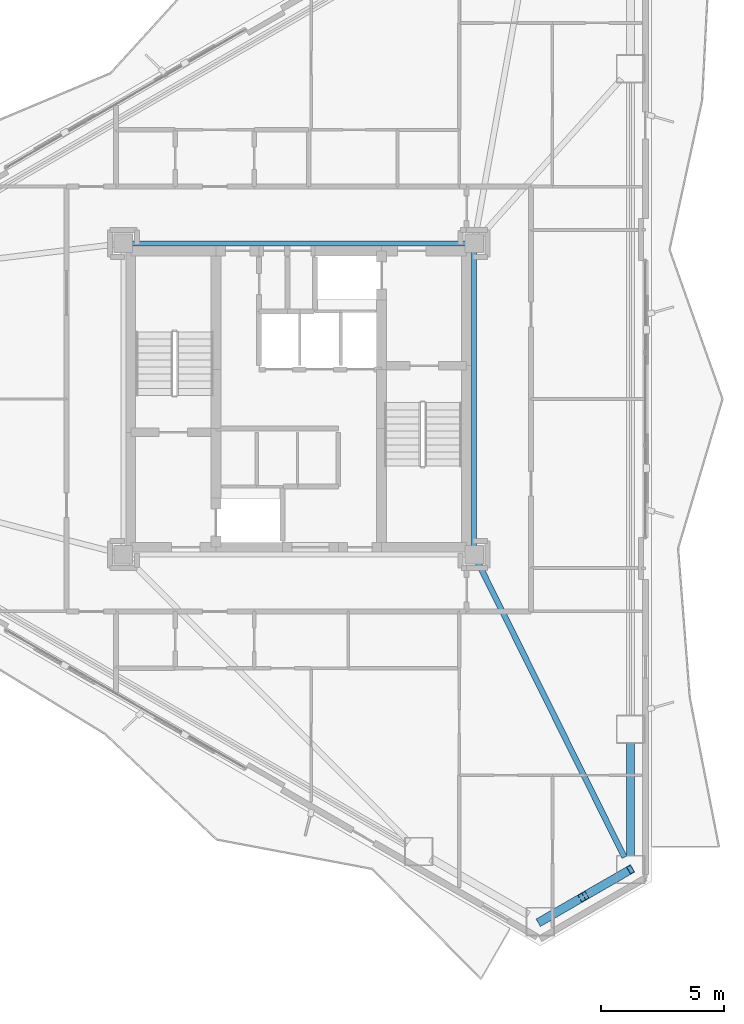
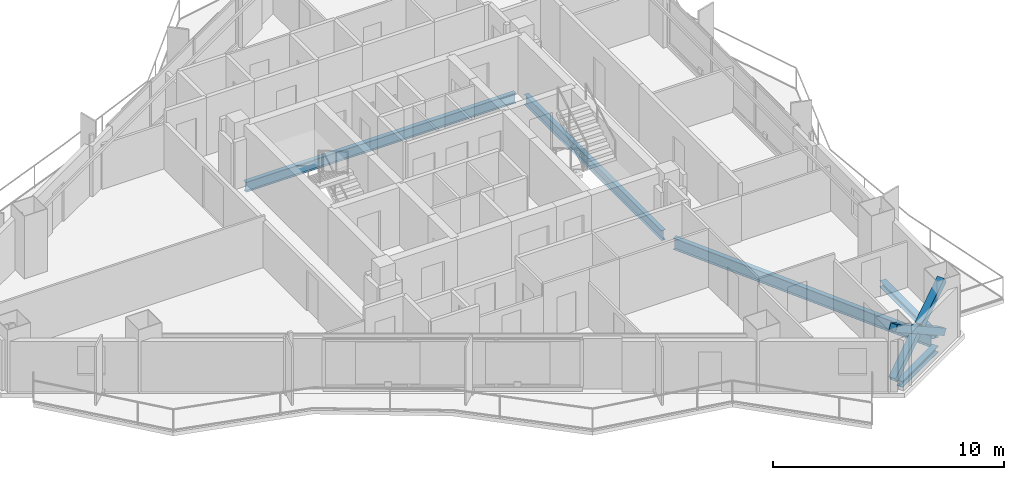
# One storey, part 7 of 22: 5 beams, 3 members.
"""IFC4 building model written with IfcOpenShell, lengths in metres."""

from ifc_helpers import new_model, si_unit, direction, frame, origin, origin_2d, place, context, subcontext, project, spatial, hollow_rectangle, i_section, extrude, material, material_profile, profile_set, type_object, element, save


model = new_model("IFC4")

# Units and contexts
model_context = context("Model", 3, precision=1e-05, world=origin(), true_north=direction((0.0, 1.0)))
body_context = subcontext(model_context, "Body", "Model", "MODEL_VIEW")
ifc_project = project(units=[si_unit("LENGTHUNIT", "METRE"), si_unit("AREAUNIT", "SQUARE_METRE"), si_unit("VOLUMEUNIT", "CUBIC_METRE"), si_unit("PLANEANGLEUNIT", "RADIAN"), si_unit("MASSUNIT", "GRAM", prefix="KILO")], contexts=[model_context])

# Site, building, storey
site_placement = place(None, origin())
site = spatial("IfcSite", under=ifc_project, at=site_placement, CompositionType="ELEMENT")
building_placement = place(site_placement, origin())
building = spatial("IfcBuilding", under=site, at=building_placement, Name="Mersakhor Tower and Convention Hall", CompositionType="ELEMENT")
storey_placement = place(building_placement, frame((0.0, 0.0, 109.800048828125)))
storey = spatial("IfcBuildingStorey", under=building, at=storey_placement, Name="L30", CompositionType="ELEMENT", Elevation=109.800048828125)

# Beams
ifc_material_1 = material(Name="Steel S355", Category="steel")
ifc_material_profile_1 = material_profile(ifc_material_1, i_section(OverallWidth=0.2099609375, OverallDepth=0.53662109375, WebThickness=0.0107421875, FlangeThickness=0.017333984375, at=origin_2d()), Name="UB 533x210x101")
ifc_profile_set_1 = profile_set([ifc_material_profile_1], Name="Steel S355")
beam_type_1 = type_object("IfcBeamType", Name="BM-FB-533", PredefinedType="BEAM", material=ifc_profile_set_1)
beam_1_placement = place(storey_placement, frame((22.2548828125, 33.050048828125, -0.5185546875), z_axis=(1.0, 0.0, 0.0), x_axis=(0.0, 1.0, 0.0)))
element("IfcBeam", 1, at=beam_1_placement, inside=storey, type_object=beam_type_1, Name="L30 Core Ring Tie Beam CRB-2", PredefinedType="BEAM", context=body_context, shape_type="SweptSolid", body=[
    extrude(i_section(OverallWidth=0.2099609375, OverallDepth=0.53662109375, WebThickness=0.0107421875, FlangeThickness=0.017333984375, at=origin_2d()), origin(), (0.0, 0.0, 1.0), 13.490234375),
])
beam_2_placement = place(storey_placement, frame((36.10009765625, 32.695068359375, -0.5185546875), z_axis=(0.0, -1.0, 0.0), x_axis=(1.0, 0.0, 0.0)))
element("IfcBeam", 2, at=beam_2_placement, inside=storey, type_object=beam_type_1, Name="L30 Core Ring Tie Beam CRB-3", PredefinedType="BEAM", context=body_context, shape_type="SweptSolid", body=[
    extrude(i_section(OverallWidth=0.2099609375, OverallDepth=0.53662109375, WebThickness=0.0107421875, FlangeThickness=0.017333984375, at=origin_2d()), origin(), (0.0, 0.0, 1.0), 11.89013671875),
])
ifc_material_2 = material(Name="Steel S355", Category="steel")
ifc_material_profile_2 = material_profile(ifc_material_2, i_section(OverallWidth=0.22900390625, OverallDepth=0.6123046875, WebThickness=0.011962890625, FlangeThickness=0.01953125, at=origin_2d()), Name="UB 610x229x125")
ifc_profile_set_2 = profile_set([ifc_material_profile_2], Name="Steel S355")
beam_type_2 = type_object("IfcBeamType", Name="BM-PR-610", PredefinedType="BEAM", material=ifc_profile_set_2)
beam_3_placement = place(storey_placement, frame((36.258056640625, 20.132080078125, -0.55615234375), z_axis=(0.444984263658, -0.895538388399, 0.0), x_axis=(0.895538388399, 0.444984263658, 0.0)))
element("IfcBeam", 3, at=beam_3_placement, inside=storey, type_object=beam_type_2, Name="L30 Primary Floor Girder FG-4", PredefinedType="BEAM", context=body_context, shape_type="SweptSolid", body=[
    extrude(i_section(OverallWidth=0.22900390625, OverallDepth=0.6123046875, WebThickness=0.011962890625, FlangeThickness=0.01953125, at=origin_2d()), origin(), (0.0, 0.0, 1.0), 13.324951171875),
])
ifc_material_3 = material(Name="Steel S355", Category="steel")
ifc_material_profile_3 = material_profile(ifc_material_3, i_section(OverallWidth=0.30908203125, OverallDepth=0.320556640625, WebThickness=0.013916015625, FlangeThickness=0.021728515625, at=origin_2d()), Name="UC 305x305x137")
ifc_profile_set_3 = profile_set([ifc_material_profile_3], Name="Steel S355")
beam_type_3 = type_object("IfcBeamType", Name="BM-SPD-UC305", PredefinedType="SPANDREL", material=ifc_profile_set_3)
beam_4_placement = place(storey_placement, frame((42.4345703125, 12.8232421875, -0.410400390625), z_axis=(0.0, -1.0, 0.0), x_axis=(1.0, 0.0, 0.0)))
element("IfcBeam", 4, at=beam_4_placement, inside=storey, type_object=beam_type_3, Name="L30 Perimeter Spandrel Beam SPB-07", PredefinedType="SPANDREL", context=body_context, shape_type="SweptSolid", body=[
    extrude(i_section(OverallWidth=0.30908203125, OverallDepth=0.320556640625, WebThickness=0.013916015625, FlangeThickness=0.021728515625, at=origin_2d()), origin(), (0.0, 0.0, 1.0), 4.566162109375),
])
beam_5_placement = place(storey_placement, frame((41.9541015625, 7.424560546875, -0.410400390625), z_axis=(-0.866052319632, -0.499953377486, 0.0), x_axis=(0.499953377486, -0.866052319632, 0.0)))
element("IfcBeam", 5, at=beam_5_placement, inside=storey, type_object=beam_type_3, Name="L30 Perimeter Spandrel Beam SPB-08", PredefinedType="SPANDREL", context=body_context, shape_type="SweptSolid", body=[
    extrude(i_section(OverallWidth=0.30908203125, OverallDepth=0.320556640625, WebThickness=0.013916015625, FlangeThickness=0.021728515625, at=origin_2d()), origin(), (0.0, 0.0, 1.0), 3.111572265625),
])

# Members
ifc_material_4 = material(Name="Steel S460", Category="steel")
ifc_material_profile_4 = material_profile(ifc_material_4, hollow_rectangle(XDim=0.35009765625, YDim=0.35009765625, WallThickness=0.02001953125, at=origin_2d()), Name="SHS 350x350x20")
ifc_profile_set_4 = profile_set([ifc_material_profile_4], Name="Steel S460")
member_type = type_object("IfcMemberType", Name="MB-BRC-SHS350", PredefinedType="BRACE", material=ifc_profile_set_4)
member_placement = place(storey_placement, frame((42.4345703125, 7.701904296875, 0.14990234375), z_axis=(-0.725633725484, -0.418933054415, 0.545848689986), x_axis=(0.49998946241, -0.866031487579, 0.0)))
element("IfcMember", 6, at=member_placement, inside=storey, type_object=member_type, Name="L30 Chamfer Braced Frame Diagonal CB-2A", PredefinedType="BRACE", context=body_context, shape_type="SweptSolid", body=[
    extrude(hollow_rectangle(XDim=0.35009765625, YDim=0.35009765625, WallThickness=0.02001953125, at=origin_2d()), origin(), (0.0, 0.0, 1.0), 5.0380859375),
])
for number, where, z_axis, x_axis, name in (
    (7, (38.77880859375, 5.59130859375, 0.14990234375), (0.725593346201, 0.41889491121, 0.545931634283), (-0.499976186015, 0.866039152359, 0.0), "L30 Chamfer Braced Frame Diagonal CB-2B Lower Half"),
    (8, (40.751220703125, 6.730224609375, 1.6337890625), (0.725684866011, 0.418886985747, 0.545816057307), (-0.499921796684, 0.866070549782, 0.0), "L30 Chamfer Braced Frame Diagonal CB-2B Upper Half"),
):
    element("IfcMember", number, at=place(storey_placement, frame(where, z_axis=z_axis, x_axis=x_axis)), inside=storey, type_object=member_type, Name=name, PredefinedType="BRACE", context=body_context, shape_type="SweptSolid", body=[
        extrude(hollow_rectangle(XDim=0.35009765625, YDim=0.35009765625, WallThickness=0.02001953125, at=origin_2d()), origin(), (0.0, 0.0, 1.0), 2.319580078125),
    ])

save(model, "model.ifc")
